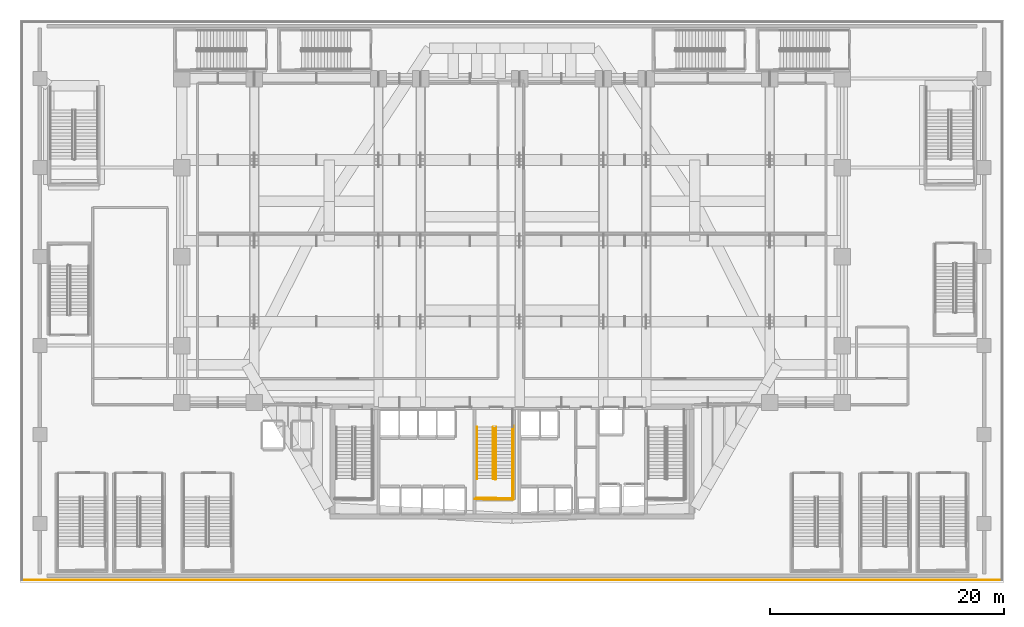
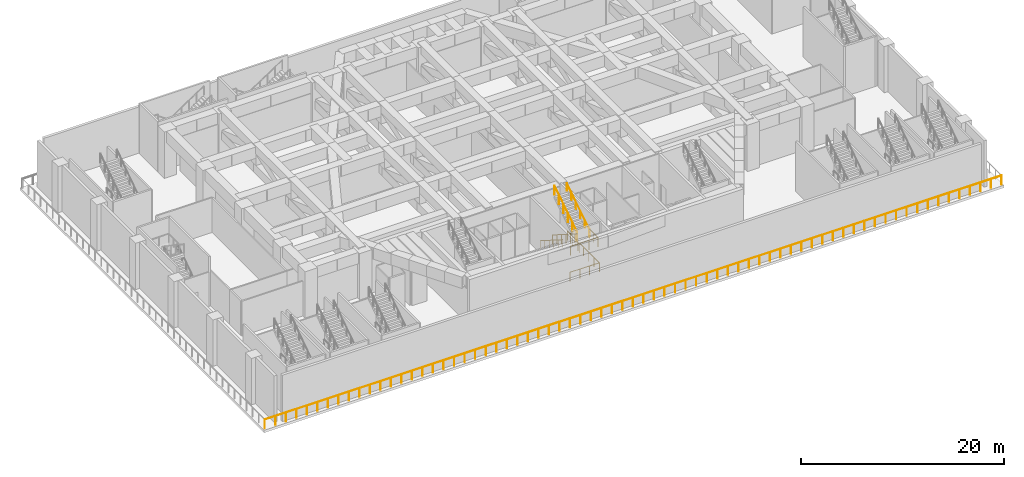
# One storey, part 19 of 27: 7 railings.
"""IFC4 building model written with IfcOpenShell, lengths in metres."""

from ifc_helpers import new_model, si_unit, direction, frame, origin, origin_2d, place, context, subcontext, project, spatial, circle, extrude, material, layer, layer_set, type_object, element, save


model = new_model("IFC4")

# Units and contexts
model_context = context("Model", 3, precision=1e-05, world=origin(), true_north=direction((0.0, 1.0)))
body_context = subcontext(model_context, "Body", "Model", "MODEL_VIEW")
ifc_project = project(units=[si_unit("LENGTHUNIT", "METRE"), si_unit("AREAUNIT", "SQUARE_METRE"), si_unit("VOLUMEUNIT", "CUBIC_METRE"), si_unit("PLANEANGLEUNIT", "RADIAN"), si_unit("MASSUNIT", "GRAM", prefix="KILO")], contexts=[model_context])

# Site, building, storey
site_placement = place(None, origin())
site = spatial("IfcSite", under=ifc_project, at=site_placement, CompositionType="ELEMENT")
building_placement = place(site_placement, origin())
building = spatial("IfcBuilding", under=site, at=building_placement, Name="Ndaravel Arena Tower", CompositionType="ELEMENT")
storey_placement = place(building_placement, frame((0.0, 0.0, 24.0)))
storey = spatial("IfcBuildingStorey", under=building, at=storey_placement, Name="L04", CompositionType="ELEMENT", Elevation=24.0)

# Railings
ifc_material_1 = material(Name="Steel S355", Category="steel")
ifc_layer_1 = layer(ifc_material_1, 0.06005859375)
ifc_layer_set_1 = layer_set([ifc_layer_1], Name="Steel S355")
railing_type_1 = type_object("IfcRailingType", Name="RAIL-STAIR-GD1100", PredefinedType="GUARDRAIL", material=ifc_layer_set_1)
railing_1_placement = place(storey_placement, frame((40.39990234375, 13.25, 0.1875)))
element("IfcRailing", 1, at=railing_1_placement, inside=storey, type_object=railing_type_1, Name="L04 ST-2 stair guard 1", PredefinedType="GUARDRAIL", context=body_context, shape_type="SweptSolid", body=[
    extrude(circle(Radius=0.02392578125, at=origin_2d()), frame((0.0, 0.0, 1.076171875), z_axis=(0.0, -0.843958541447, 0.536408408136), x_axis=(1.0, 0.0, 0.0)), (0.0, 0.0, 1.0), 5.2431640625),
    extrude(circle(Radius=0.02392578125, at=origin_2d()), frame((0.0, -4.425048828125, 3.888671875), z_axis=(0.967074537263, -0.25449329928, 0.0), x_axis=(0.25449329928, 0.967074537263, 0.0)), (0.0, 0.0, 1.0), 0.19677734375),
    extrude(circle(Radius=0.02099609375, at=origin_2d()), origin(), (0.0, 0.0, 1.0), 1.052001953125),
    extrude(circle(Radius=0.02099609375, at=origin_2d()), frame((0.0, -0.885009765625, 0.5625)), (0.0, 0.0, 1.0), 1.052001953125),
    extrude(circle(Radius=0.02099609375, at=origin_2d()), frame((0.0, -1.77001953125, 1.125)), (0.0, 0.0, 1.0), 1.052001953125),
    extrude(circle(Radius=0.02099609375, at=origin_2d()), frame((0.0, -2.655029296875, 1.6875)), (0.0, 0.0, 1.0), 1.052001953125),
    extrude(circle(Radius=0.02099609375, at=origin_2d()), frame((0.0, -3.5400390625, 2.25)), (0.0, 0.0, 1.0), 1.052001953125),
    extrude(circle(Radius=0.02099609375, at=origin_2d()), frame((0.0, -4.425048828125, 2.8125)), (0.0, 0.0, 1.0), 1.052001953125),
    extrude(circle(Radius=0.02099609375, at=origin_2d()), frame((0.190185546875, -4.47509765625, 2.8125)), (0.0, 0.0, 1.0), 1.052001953125),
])
railing_2_placement = place(storey_placement, frame((42.0400390625, 8.824951171875, 3.0)))
element("IfcRailing", 2, at=railing_2_placement, inside=storey, type_object=railing_type_1, Name="L04 ST-2 stair guard 2", PredefinedType="GUARDRAIL", context=body_context, shape_type="SweptSolid", body=[
    extrude(circle(Radius=0.02392578125, at=origin_2d()), frame((0.0, 0.0, 1.076171875), z_axis=(0.0, -1.0, 0.0), x_axis=(1.0, 0.0, 0.0)), (0.0, 0.0, 1.0), 1.675048828125),
    extrude(circle(Radius=0.02392578125, at=origin_2d()), frame((0.0, -1.675048828125, 1.076171875), z_axis=(-0.999868861343, 0.016194447071, 0.0), x_axis=(-0.016194447071, -0.999868861343, 0.0)), (0.0, 0.0, 1.0), 3.090576171875),
    extrude(circle(Radius=0.02099609375, at=origin_2d()), origin(), (0.0, 0.0, 1.0), 1.052001953125),
    extrude(circle(Radius=0.02099609375, at=origin_2d()), frame((0.0, -0.83740234375, 0.0)), (0.0, 0.0, 1.0), 1.052001953125),
    extrude(circle(Radius=0.02099609375, at=origin_2d()), frame((0.0, -1.675048828125, 0.0)), (0.0, 0.0, 1.0), 1.052001953125),
    extrude(circle(Radius=0.02099609375, at=origin_2d()), frame((-1.030029296875, -1.658447265625, 0.0)), (0.0, 0.0, 1.0), 1.052001953125),
    extrude(circle(Radius=0.02099609375, at=origin_2d()), frame((-2.06005859375, -1.6416015625, 0.0)), (0.0, 0.0, 1.0), 1.052001953125),
    extrude(circle(Radius=0.02099609375, at=origin_2d()), frame((-3.090087890625, -1.625, 0.0)), (0.0, 0.0, 1.0), 1.052001953125),
])
railing_3_placement = place(storey_placement, frame((40.639892578125, 8.824951171875, 3.1875)))
element("IfcRailing", 3, at=railing_3_placement, inside=storey, type_object=railing_type_1, Name="L04 ST-2 stair guard 3", PredefinedType="GUARDRAIL", context=body_context, shape_type="SweptSolid", body=[
    extrude(circle(Radius=0.02392578125, at=origin_2d()), frame((0.0, 0.0, 1.076171875), z_axis=(0.0, 0.843958541447, 0.536408408136), x_axis=(-1.0, 0.0, 0.0)), (0.0, 0.0, 1.0), 5.2431640625),
    extrude(circle(Radius=0.02099609375, at=origin_2d()), origin(), (0.0, 0.0, 1.0), 1.052001953125),
    extrude(circle(Radius=0.02099609375, at=origin_2d()), frame((0.0, 0.885009765625, 0.5625)), (0.0, 0.0, 1.0), 1.052001953125),
    extrude(circle(Radius=0.02099609375, at=origin_2d()), frame((0.0, 1.77001953125, 1.125)), (0.0, 0.0, 1.0), 1.052001953125),
    extrude(circle(Radius=0.02099609375, at=origin_2d()), frame((0.0, 2.655029296875, 1.6875)), (0.0, 0.0, 1.0), 1.052001953125),
    extrude(circle(Radius=0.02099609375, at=origin_2d()), frame((0.0, 3.5400390625, 2.25)), (0.0, 0.0, 1.0), 1.052001953125),
    extrude(circle(Radius=0.02099609375, at=origin_2d()), frame((0.0, 4.425048828125, 2.8125)), (0.0, 0.0, 1.0), 1.052001953125),
])
railing_4_placement = place(storey_placement, frame((42.139892578125, 13.35009765625, 0.0)))
element("IfcRailing", 4, at=railing_4_placement, inside=storey, type_object=railing_type_1, Name="L04 ST-2 stair guard 6", PredefinedType="GUARDRAIL", context=body_context, shape_type="SweptSolid", body=[
    extrude(circle(Radius=0.02392578125, at=origin_2d()), frame((0.0, 0.0, 1.076171875), z_axis=(0.0, -1.0, 0.0), x_axis=(1.0, 0.0, 0.0)), (0.0, 0.0, 1.0), 6.300048828125),
    extrude(circle(Radius=0.02392578125, at=origin_2d()), frame((0.0, -6.300048828125, 1.076171875), z_axis=(-0.999884296952, 0.015211597839, 0.0), x_axis=(-0.015211597839, -0.999884296952, 0.0)), (0.0, 0.0, 1.0), 3.290283203125),
    extrude(circle(Radius=0.02099609375, at=origin_2d()), origin(), (0.0, 0.0, 1.0), 1.052001953125),
    extrude(circle(Radius=0.02099609375, at=origin_2d()), frame((0.0, -1.050048828125, 0.0)), (0.0, 0.0, 1.0), 1.052001953125),
    extrude(circle(Radius=0.02099609375, at=origin_2d()), frame((0.0, -2.10009765625, 0.0)), (0.0, 0.0, 1.0), 1.052001953125),
    extrude(circle(Radius=0.02099609375, at=origin_2d()), frame((0.0, -3.14990234375, 0.0)), (0.0, 0.0, 1.0), 1.052001953125),
    extrude(circle(Radius=0.02099609375, at=origin_2d()), frame((0.0, -4.199951171875, 0.0)), (0.0, 0.0, 1.0), 1.052001953125),
    extrude(circle(Radius=0.02099609375, at=origin_2d()), frame((0.0, -5.25, 0.0)), (0.0, 0.0, 1.0), 1.052001953125),
    extrude(circle(Radius=0.02099609375, at=origin_2d()), frame((0.0, -6.300048828125, 0.0)), (0.0, 0.0, 1.0), 1.052001953125),
    extrude(circle(Radius=0.02099609375, at=origin_2d()), frame((-1.0966796875, -6.283447265625, 0.0)), (0.0, 0.0, 1.0), 1.052001953125),
    extrude(circle(Radius=0.02099609375, at=origin_2d()), frame((-2.193115234375, -6.2666015625, 0.0)), (0.0, 0.0, 1.0), 1.052001953125),
    extrude(circle(Radius=0.02099609375, at=origin_2d()), frame((-3.289794921875, -6.25, 0.0)), (0.0, 0.0, 1.0), 1.052001953125),
])
ifc_material_2 = material(Name="Steel S355", Category="steel")
ifc_layer_2 = layer(ifc_material_2, 0.050048828125)
ifc_layer_set_2 = layer_set([ifc_layer_2], Name="Steel S355")
railing_type_2 = type_object("IfcRailingType", Name="RAIL-STAIR-HR920", PredefinedType="HANDRAIL", material=ifc_layer_set_2)
railing_5_placement = place(storey_placement, frame((39.0, 13.25, 0.1875)))
element("IfcRailing", 5, at=railing_5_placement, inside=storey, type_object=railing_type_2, Name="L04 ST-2 stair handrail 1", PredefinedType="HANDRAIL", context=body_context, shape_type="SweptSolid", body=[
    extrude(circle(Radius=0.02392578125, at=origin_2d()), frame((0.0, 0.0, 0.8759765625), z_axis=(0.0, -0.843958541447, 0.536408408136), x_axis=(1.0, 0.0, 0.0)), (0.0, 0.0, 1.0), 5.2431640625),
    extrude(circle(Radius=0.02099609375, at=origin_2d()), origin(), (0.0, 0.0, 1.0), 0.851806640625),
    extrude(circle(Radius=0.02099609375, at=origin_2d()), frame((0.0, -0.885009765625, 0.5625)), (0.0, 0.0, 1.0), 0.851806640625),
    extrude(circle(Radius=0.02099609375, at=origin_2d()), frame((0.0, -1.77001953125, 1.125)), (0.0, 0.0, 1.0), 0.851806640625),
    extrude(circle(Radius=0.02099609375, at=origin_2d()), frame((0.0, -2.655029296875, 1.6875)), (0.0, 0.0, 1.0), 0.851806640625),
    extrude(circle(Radius=0.02099609375, at=origin_2d()), frame((0.0, -3.5400390625, 2.25)), (0.0, 0.0, 1.0), 0.851806640625),
    extrude(circle(Radius=0.02099609375, at=origin_2d()), frame((0.0, -4.425048828125, 2.8125)), (0.0, 0.0, 1.0), 0.851806640625),
])
railing_6_placement = place(storey_placement, frame((42.0400390625, 8.824951171875, 3.1875)))
element("IfcRailing", 6, at=railing_6_placement, inside=storey, type_object=railing_type_2, Name="L04 ST-2 stair handrail 2", PredefinedType="HANDRAIL", context=body_context, shape_type="SweptSolid", body=[
    extrude(circle(Radius=0.02392578125, at=origin_2d()), frame((0.0, 0.0, 0.8759765625), z_axis=(0.0, 0.843958541447, 0.536408408136), x_axis=(-1.0, 0.0, 0.0)), (0.0, 0.0, 1.0), 5.2431640625),
    extrude(circle(Radius=0.02099609375, at=origin_2d()), origin(), (0.0, 0.0, 1.0), 0.851806640625),
    extrude(circle(Radius=0.02099609375, at=origin_2d()), frame((0.0, 0.885009765625, 0.5625)), (0.0, 0.0, 1.0), 0.851806640625),
    extrude(circle(Radius=0.02099609375, at=origin_2d()), frame((0.0, 1.77001953125, 1.125)), (0.0, 0.0, 1.0), 0.851806640625),
    extrude(circle(Radius=0.02099609375, at=origin_2d()), frame((0.0, 2.655029296875, 1.6875)), (0.0, 0.0, 1.0), 0.851806640625),
    extrude(circle(Radius=0.02099609375, at=origin_2d()), frame((0.0, 3.5400390625, 2.25)), (0.0, 0.0, 1.0), 0.851806640625),
    extrude(circle(Radius=0.02099609375, at=origin_2d()), frame((0.0, 4.425048828125, 2.8125)), (0.0, 0.0, 1.0), 0.851806640625),
])
ifc_material_3 = material(Name="Glazing", Category="glass")
ifc_layer_3 = layer(ifc_material_3, 0.070068359375)
ifc_layer_set_3 = layer_set([ifc_layer_3], Name="Glazing")
railing_type_3 = type_object("IfcRailingType", Name="RAIL-TERRACE-1150", PredefinedType="BALUSTRADE", material=ifc_layer_set_3)
railing_7_placement = place(storey_placement, frame((0.179931640625, 0.179931640625, 0.0)))
element("IfcRailing", 7, at=railing_7_placement, inside=storey, type_object=railing_type_3, Name="L04 Podium Perimeter Edge Guard 1", PredefinedType="BALUSTRADE", context=body_context, shape_type="SweptSolid", body=[
    extrude(circle(Radius=0.02392578125, at=origin_2d()), frame((0.0, 0.0, 1.1259765625), z_axis=(1.0, 0.0, 0.0), x_axis=(0.0, 1.0, 0.0)), (0.0, 0.0, 1.0), 83.64013671875),
    extrude(circle(Radius=0.02099609375, at=origin_2d()), origin(), (0.0, 0.0, 1.0), 1.101806640625),
    extrude(circle(Radius=0.02099609375, at=origin_2d()), frame((1.19482421875, 0.0, 0.0)), (0.0, 0.0, 1.0), 1.101806640625),
    extrude(circle(Radius=0.02099609375, at=origin_2d()), frame((2.3896484375, 0.0, 0.0)), (0.0, 0.0, 1.0), 1.101806640625),
    extrude(circle(Radius=0.02099609375, at=origin_2d()), frame((3.58447265625, 0.0, 0.0)), (0.0, 0.0, 1.0), 1.101806640625),
    extrude(circle(Radius=0.02099609375, at=origin_2d()), frame((4.779541015625, 0.0, 0.0)), (0.0, 0.0, 1.0), 1.101806640625),
    extrude(circle(Radius=0.02099609375, at=origin_2d()), frame((5.974365234375, 0.0, 0.0)), (0.0, 0.0, 1.0), 1.101806640625),
    extrude(circle(Radius=0.02099609375, at=origin_2d()), frame((7.169189453125, 0.0, 0.0)), (0.0, 0.0, 1.0), 1.101806640625),
    extrude(circle(Radius=0.02099609375, at=origin_2d()), frame((8.364013671875, 0.0, 0.0)), (0.0, 0.0, 1.0), 1.101806640625),
    extrude(circle(Radius=0.02099609375, at=origin_2d()), frame((9.558837890625, 0.0, 0.0)), (0.0, 0.0, 1.0), 1.101806640625),
    extrude(circle(Radius=0.02099609375, at=origin_2d()), frame((10.753662109375, 0.0, 0.0)), (0.0, 0.0, 1.0), 1.101806640625),
    extrude(circle(Radius=0.02099609375, at=origin_2d()), frame((11.948486328125, 0.0, 0.0)), (0.0, 0.0, 1.0), 1.101806640625),
    extrude(circle(Radius=0.02099609375, at=origin_2d()), frame((13.1435546875, 0.0, 0.0)), (0.0, 0.0, 1.0), 1.101806640625),
    extrude(circle(Radius=0.02099609375, at=origin_2d()), frame((14.33837890625, 0.0, 0.0)), (0.0, 0.0, 1.0), 1.101806640625),
    extrude(circle(Radius=0.02099609375, at=origin_2d()), frame((15.533203125, 0.0, 0.0)), (0.0, 0.0, 1.0), 1.101806640625),
    extrude(circle(Radius=0.02099609375, at=origin_2d()), frame((16.72802734375, 0.0, 0.0)), (0.0, 0.0, 1.0), 1.101806640625),
    extrude(circle(Radius=0.02099609375, at=origin_2d()), frame((17.9228515625, 0.0, 0.0)), (0.0, 0.0, 1.0), 1.101806640625),
    extrude(circle(Radius=0.02099609375, at=origin_2d()), frame((19.11767578125, 0.0, 0.0)), (0.0, 0.0, 1.0), 1.101806640625),
    extrude(circle(Radius=0.02099609375, at=origin_2d()), frame((20.3125, 0.0, 0.0)), (0.0, 0.0, 1.0), 1.101806640625),
    extrude(circle(Radius=0.02099609375, at=origin_2d()), frame((21.507568359375, 0.0, 0.0)), (0.0, 0.0, 1.0), 1.101806640625),
    extrude(circle(Radius=0.02099609375, at=origin_2d()), frame((22.702392578125, 0.0, 0.0)), (0.0, 0.0, 1.0), 1.101806640625),
    extrude(circle(Radius=0.02099609375, at=origin_2d()), frame((23.897216796875, 0.0, 0.0)), (0.0, 0.0, 1.0), 1.101806640625),
    extrude(circle(Radius=0.02099609375, at=origin_2d()), frame((25.092041015625, 0.0, 0.0)), (0.0, 0.0, 1.0), 1.101806640625),
    extrude(circle(Radius=0.02099609375, at=origin_2d()), frame((26.286865234375, 0.0, 0.0)), (0.0, 0.0, 1.0), 1.101806640625),
    extrude(circle(Radius=0.02099609375, at=origin_2d()), frame((27.481689453125, 0.0, 0.0)), (0.0, 0.0, 1.0), 1.101806640625),
    extrude(circle(Radius=0.02099609375, at=origin_2d()), frame((28.676513671875, 0.0, 0.0)), (0.0, 0.0, 1.0), 1.101806640625),
    extrude(circle(Radius=0.02099609375, at=origin_2d()), frame((29.87158203125, 0.0, 0.0)), (0.0, 0.0, 1.0), 1.101806640625),
    extrude(circle(Radius=0.02099609375, at=origin_2d()), frame((31.06640625, 0.0, 0.0)), (0.0, 0.0, 1.0), 1.101806640625),
    extrude(circle(Radius=0.02099609375, at=origin_2d()), frame((32.26123046875, 0.0, 0.0)), (0.0, 0.0, 1.0), 1.101806640625),
    extrude(circle(Radius=0.02099609375, at=origin_2d()), frame((33.4560546875, 0.0, 0.0)), (0.0, 0.0, 1.0), 1.101806640625),
    extrude(circle(Radius=0.02099609375, at=origin_2d()), frame((34.65087890625, 0.0, 0.0)), (0.0, 0.0, 1.0), 1.101806640625),
    extrude(circle(Radius=0.02099609375, at=origin_2d()), frame((35.845703125, 0.0, 0.0)), (0.0, 0.0, 1.0), 1.101806640625),
    extrude(circle(Radius=0.02099609375, at=origin_2d()), frame((37.04052734375, 0.0, 0.0)), (0.0, 0.0, 1.0), 1.101806640625),
    extrude(circle(Radius=0.02099609375, at=origin_2d()), frame((38.235595703125, 0.0, 0.0)), (0.0, 0.0, 1.0), 1.101806640625),
    extrude(circle(Radius=0.02099609375, at=origin_2d()), frame((39.430419921875, 0.0, 0.0)), (0.0, 0.0, 1.0), 1.101806640625),
    extrude(circle(Radius=0.02099609375, at=origin_2d()), frame((40.625244140625, 0.0, 0.0)), (0.0, 0.0, 1.0), 1.101806640625),
    extrude(circle(Radius=0.02099609375, at=origin_2d()), frame((41.820068359375, 0.0, 0.0)), (0.0, 0.0, 1.0), 1.101806640625),
    extrude(circle(Radius=0.02099609375, at=origin_2d()), frame((43.014892578125, 0.0, 0.0)), (0.0, 0.0, 1.0), 1.101806640625),
    extrude(circle(Radius=0.02099609375, at=origin_2d()), frame((44.209716796875, 0.0, 0.0)), (0.0, 0.0, 1.0), 1.101806640625),
    extrude(circle(Radius=0.02099609375, at=origin_2d()), frame((45.404541015625, 0.0, 0.0)), (0.0, 0.0, 1.0), 1.101806640625),
    extrude(circle(Radius=0.02099609375, at=origin_2d()), frame((46.599609375, 0.0, 0.0)), (0.0, 0.0, 1.0), 1.101806640625),
    extrude(circle(Radius=0.02099609375, at=origin_2d()), frame((47.79443359375, 0.0, 0.0)), (0.0, 0.0, 1.0), 1.101806640625),
    extrude(circle(Radius=0.02099609375, at=origin_2d()), frame((48.9892578125, 0.0, 0.0)), (0.0, 0.0, 1.0), 1.101806640625),
    extrude(circle(Radius=0.02099609375, at=origin_2d()), frame((50.18408203125, 0.0, 0.0)), (0.0, 0.0, 1.0), 1.101806640625),
    extrude(circle(Radius=0.02099609375, at=origin_2d()), frame((51.37890625, 0.0, 0.0)), (0.0, 0.0, 1.0), 1.101806640625),
    extrude(circle(Radius=0.02099609375, at=origin_2d()), frame((52.57373046875, 0.0, 0.0)), (0.0, 0.0, 1.0), 1.101806640625),
    extrude(circle(Radius=0.02099609375, at=origin_2d()), frame((53.7685546875, 0.0, 0.0)), (0.0, 0.0, 1.0), 1.101806640625),
    extrude(circle(Radius=0.02099609375, at=origin_2d()), frame((54.963623046875, 0.0, 0.0)), (0.0, 0.0, 1.0), 1.101806640625),
    extrude(circle(Radius=0.02099609375, at=origin_2d()), frame((56.158447265625, 0.0, 0.0)), (0.0, 0.0, 1.0), 1.101806640625),
    extrude(circle(Radius=0.02099609375, at=origin_2d()), frame((57.353271484375, 0.0, 0.0)), (0.0, 0.0, 1.0), 1.101806640625),
    extrude(circle(Radius=0.02099609375, at=origin_2d()), frame((58.548095703125, 0.0, 0.0)), (0.0, 0.0, 1.0), 1.101806640625),
    extrude(circle(Radius=0.02099609375, at=origin_2d()), frame((59.742919921875, 0.0, 0.0)), (0.0, 0.0, 1.0), 1.101806640625),
    extrude(circle(Radius=0.02099609375, at=origin_2d()), frame((60.937744140625, 0.0, 0.0)), (0.0, 0.0, 1.0), 1.101806640625),
    extrude(circle(Radius=0.02099609375, at=origin_2d()), frame((62.132568359375, 0.0, 0.0)), (0.0, 0.0, 1.0), 1.101806640625),
    extrude(circle(Radius=0.02099609375, at=origin_2d()), frame((63.32763671875, 0.0, 0.0)), (0.0, 0.0, 1.0), 1.101806640625),
    extrude(circle(Radius=0.02099609375, at=origin_2d()), frame((64.5224609375, 0.0, 0.0)), (0.0, 0.0, 1.0), 1.101806640625),
    extrude(circle(Radius=0.02099609375, at=origin_2d()), frame((65.71728515625, 0.0, 0.0)), (0.0, 0.0, 1.0), 1.101806640625),
    extrude(circle(Radius=0.02099609375, at=origin_2d()), frame((66.912109375, 0.0, 0.0)), (0.0, 0.0, 1.0), 1.101806640625),
    extrude(circle(Radius=0.02099609375, at=origin_2d()), frame((68.10693359375, 0.0, 0.0)), (0.0, 0.0, 1.0), 1.101806640625),
    extrude(circle(Radius=0.02099609375, at=origin_2d()), frame((69.3017578125, 0.0, 0.0)), (0.0, 0.0, 1.0), 1.101806640625),
    extrude(circle(Radius=0.02099609375, at=origin_2d()), frame((70.49658203125, 0.0, 0.0)), (0.0, 0.0, 1.0), 1.101806640625),
    extrude(circle(Radius=0.02099609375, at=origin_2d()), frame((71.691650390625, 0.0, 0.0)), (0.0, 0.0, 1.0), 1.101806640625),
    extrude(circle(Radius=0.02099609375, at=origin_2d()), frame((72.886474609375, 0.0, 0.0)), (0.0, 0.0, 1.0), 1.101806640625),
    extrude(circle(Radius=0.02099609375, at=origin_2d()), frame((74.081298828125, 0.0, 0.0)), (0.0, 0.0, 1.0), 1.101806640625),
    extrude(circle(Radius=0.02099609375, at=origin_2d()), frame((75.276123046875, 0.0, 0.0)), (0.0, 0.0, 1.0), 1.101806640625),
    extrude(circle(Radius=0.02099609375, at=origin_2d()), frame((76.470947265625, 0.0, 0.0)), (0.0, 0.0, 1.0), 1.101806640625),
    extrude(circle(Radius=0.02099609375, at=origin_2d()), frame((77.665771484375, 0.0, 0.0)), (0.0, 0.0, 1.0), 1.101806640625),
    extrude(circle(Radius=0.02099609375, at=origin_2d()), frame((78.860595703125, 0.0, 0.0)), (0.0, 0.0, 1.0), 1.101806640625),
    extrude(circle(Radius=0.02099609375, at=origin_2d()), frame((80.0556640625, 0.0, 0.0)), (0.0, 0.0, 1.0), 1.101806640625),
    extrude(circle(Radius=0.02099609375, at=origin_2d()), frame((81.25048828125, 0.0, 0.0)), (0.0, 0.0, 1.0), 1.101806640625),
    extrude(circle(Radius=0.02099609375, at=origin_2d()), frame((82.4453125, 0.0, 0.0)), (0.0, 0.0, 1.0), 1.101806640625),
    extrude(circle(Radius=0.02099609375, at=origin_2d()), frame((83.64013671875, 0.0, 0.0)), (0.0, 0.0, 1.0), 1.101806640625),
])

save(model, "model.ifc")
